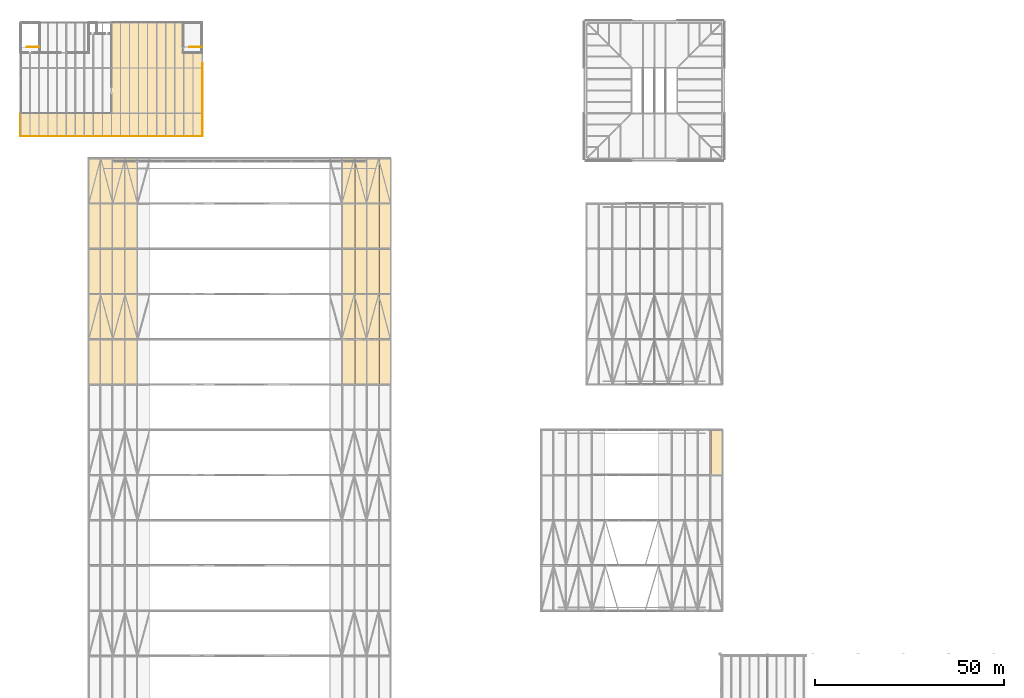
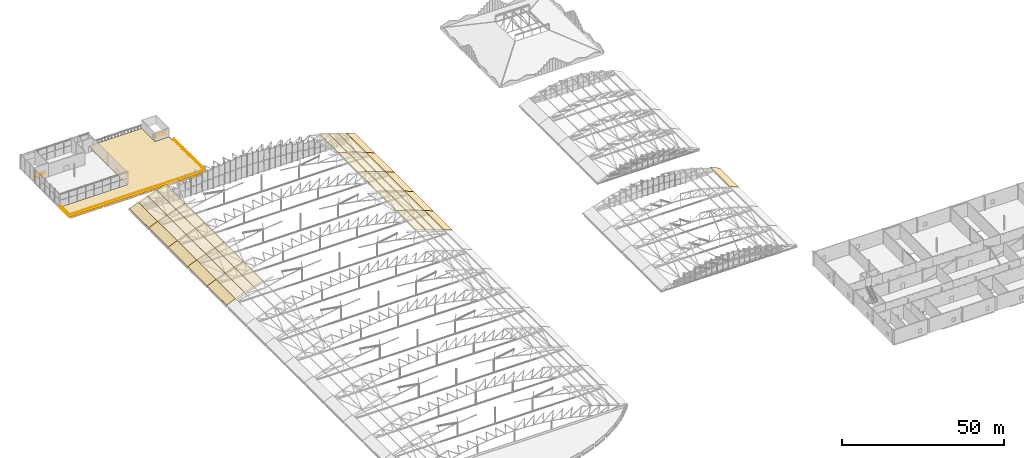
# One storey, part 318 of 321: 42 coverings, 4 railings.
"""IFC4 building model written with IfcOpenShell, lengths in metres."""

import ifcopenshell
import ifcopenshell.guid

model = None  # the IFC model being written
_history = None  # IfcOwnerHistory: only IFC2X3 demands one
_inside = {}  # id of a spatial element -> (the spatial element, [elements in it])
_under = {}  # id of a project, library or spatial element -> (it, [spatial elements below it])
_declared = {}  # id of a project -> (the project, [libraries it declares])
_typed = {}  # id of a type object -> (the type object, [elements of that type])
_made_of = {}  # id of a material, layer set ... -> (it, [elements and type objects made of it])


def new_model(schema):
    """Start an empty IFC model of exactly this schema.

    Asked for "IFC4X3", IfcOpenShell would pick the latest addendum, in which some entities
    have other attributes; the version numbers below select the first issue.
    IFC2X3 requires an IfcOwnerHistory on every rooted entity: one is made here for all.
    """
    global model, _history
    if schema == "IFC4X3":
        model = ifcopenshell.file(schema_version=(4, 3, 0, 0))
    else:
        model = ifcopenshell.file(schema=schema)
    _inside.clear()
    _under.clear()
    _declared.clear()
    _typed.clear()
    _made_of.clear()
    _history = None
    if model.schema == "IFC2X3":
        org = make("IfcOrganization", Name="unknown")
        user = make(
            "IfcPersonAndOrganization",
            ThePerson=make("IfcPerson", FamilyName="unknown"),
            TheOrganization=org,
        )
        app = make(
            "IfcApplication",
            ApplicationDeveloper=org,
            Version="unknown",
            ApplicationFullName="unknown",
            ApplicationIdentifier="unknown",
        )
        _history = make(
            "IfcOwnerHistory",
            OwningUser=user,
            OwningApplication=app,
            ChangeAction="ADDED",
            CreationDate=0,
        )
    return model


def make(cls, **values):
    """One entity of the class cls with the attributes given. An attribute that is None is left unset."""
    return model.create_entity(
        cls, **{name: value for name, value in values.items() if value is not None}
    )


def rooted(cls, **values):
    """An entity with a GlobalId (a new one), such as an element, a storey or a relation."""
    return make(cls, GlobalId=ifcopenshell.guid.new(), OwnerHistory=_history, **values)


def si_unit(unit_type, name, prefix=None):
    """IfcSIUnit, for example si_unit("LENGTHUNIT", "METRE", prefix="MILLI")."""
    return make("IfcSIUnit", UnitType=unit_type, Prefix=prefix, Name=name)


def assignment(units):
    """IfcUnitAssignment: the units of a project."""
    return None if units is None else make("IfcUnitAssignment", Units=units)


def point(xyz):
    """IfcCartesianPoint."""
    return None if xyz is None else make("IfcCartesianPoint", Coordinates=xyz)


def direction(xyz):
    """IfcDirection."""
    return None if xyz is None else make("IfcDirection", DirectionRatios=xyz)


def frame(location, z_axis=None, x_axis=None):
    """IfcAxis2Placement3D, a coordinate frame: its origin and axes. An axis left out is left unset."""
    return make(
        "IfcAxis2Placement3D",
        Location=point(location),
        Axis=direction(z_axis),
        RefDirection=direction(x_axis),
    )


def frame_2d(location, x_axis=None):
    """IfcAxis2Placement2D, a coordinate frame in the plane: its origin and x axis."""
    return make(
        "IfcAxis2Placement2D", Location=point(location), RefDirection=direction(x_axis)
    )


def origin():
    """The frame at (0, 0, 0) with its axes left unset."""
    return frame((0.0, 0.0, 0.0))


def origin_2d():
    """The frame at (0, 0) in the plane with its x axis left unset."""
    return frame_2d((0.0, 0.0))


def place(relative_to, where):
    """IfcLocalPlacement: puts the frame where relative to a parent placement (None: the world)."""
    return make(
        "IfcLocalPlacement", PlacementRelTo=relative_to, RelativePlacement=where
    )


def context(
    kind, dimensions, precision=None, world=None, true_north=None, identifier=None
):
    """IfcGeometricRepresentationContext, for example the 3D "Model" context."""
    return make(
        "IfcGeometricRepresentationContext",
        ContextIdentifier=identifier,
        ContextType=kind,
        CoordinateSpaceDimension=dimensions,
        Precision=precision,
        WorldCoordinateSystem=world,
        TrueNorth=true_north,
    )


def subcontext(parent, identifier, kind, view, scale=None):
    """IfcGeometricRepresentationSubContext, for example "Body" below "Model"."""
    return make(
        "IfcGeometricRepresentationSubContext",
        ContextIdentifier=identifier,
        ContextType=kind,
        ParentContext=parent,
        TargetScale=scale,
        TargetView=view,
    )


def project(units=None, contexts=None):
    """IfcProject with its units and contexts."""
    return rooted(
        "IfcProject",
        Name="project",
        RepresentationContexts=contexts,
        UnitsInContext=assignment(units),
    )


def spatial(cls, under=None, at=None, **own):
    """A site, building, storey or space (cls), placed at a placement, below another one or the project."""
    s = rooted(cls, ObjectPlacement=at, **own)
    if under is not None:
        _under.setdefault(under.id(), (under, []))[1].append(s)
    return s


def polyline(points):
    """IfcPolyline through the points."""
    return make("IfcPolyline", Points=[point(p) for p in points])


def profile(cls, at=None, kind="AREA", **sizes):
    """A parametric profile (cls). Its sizes go by their IFC names, for example OverallWidth=200.0."""
    return make(cls, ProfileType=kind, Position=at, **sizes)


def circle(**sizes):
    """IfcCircleProfileDef."""
    return profile("IfcCircleProfileDef", **sizes)


def outline(outer, holes=None, kind="AREA"):
    """IfcArbitraryClosedProfileDef: a profile drawn as a closed curve; with holes, ...WithVoids."""
    if holes is None:
        return make("IfcArbitraryClosedProfileDef", ProfileType=kind, OuterCurve=outer)
    return make(
        "IfcArbitraryProfileDefWithVoids",
        ProfileType=kind,
        OuterCurve=outer,
        InnerCurves=holes,
    )


def extrude(swept, where, along, depth):
    """IfcExtrudedAreaSolid: the profile swept, set in the frame where, extruded along a direction by depth."""
    return make(
        "IfcExtrudedAreaSolid",
        SweptArea=swept,
        Position=where,
        ExtrudedDirection=direction(along),
        Depth=depth,
    )


def shape(context_of_items, identifier, shape_type, items):
    """IfcShapeRepresentation: the items that make up one representation, for example the "Body"."""
    return make(
        "IfcShapeRepresentation",
        ContextOfItems=context_of_items,
        RepresentationIdentifier=identifier,
        RepresentationType=shape_type,
        Items=items,
    )


def material(Name=None, Category=None):
    """IfcMaterial."""
    return make("IfcMaterial", Name=Name, Category=Category)


def layer(
    of_material, thickness, ventilated=None, Name=None, Category=None, Priority=None
):
    """IfcMaterialLayer: one layer of a wall or slab, of a material (None: an air gap)."""
    return make(
        "IfcMaterialLayer",
        Material=of_material,
        LayerThickness=thickness,
        IsVentilated=ventilated,
        Name=Name,
        Category=Category,
        Priority=Priority,
    )


def layer_set(layers, Name=None):
    """IfcMaterialLayerSet."""
    return make("IfcMaterialLayerSet", MaterialLayers=layers, LayerSetName=Name)


def made_of(thing, what):
    """Note that an element or type object is made of a material, layer set ...; save() writes the relation."""
    if what is not None:
        _made_of.setdefault(what.id(), (what, []))[1].append(thing)
    return thing


def type_object(cls, material=None, **own):
    """A type object (cls), such as IfcWallType, which elements share."""
    return made_of(rooted(cls, **own), material)


def element(
    cls,
    number,
    at=None,
    inside=None,
    cuts=None,
    type_object=None,
    material=None,
    context=None,
    identifier="Body",
    shape_type=None,
    held_by="IfcProductDefinitionShape",
    body=None,
    shapes=None,
    **own,
):
    """One element of the class cls, such as IfcWall. Its Tag is "e" and its number.

    at: its placement. inside: the storey or other place that contains it. cuts: it is an
    opening in that element (IfcRelVoidsElement). A single representation is given by context,
    identifier, shape_type and body (its items); several are given by shapes. held_by: the class
    of the entity that holds the representations. save() writes the other relations.
    """
    e = rooted(cls, Tag="e%d" % number, ObjectPlacement=at, **own)
    if body is not None:
        shapes = [shape(context, identifier, shape_type, body)]
    if shapes is not None:
        e.Representation = make(held_by, Representations=shapes)
    if inside is not None:
        _inside.setdefault(inside.id(), (inside, []))[1].append(e)
    if cuts is not None:
        rooted(
            "IfcRelVoidsElement", RelatingBuildingElement=cuts, RelatedOpeningElement=e
        )
    if type_object is not None:
        _typed.setdefault(type_object.id(), (type_object, []))[1].append(e)
    return made_of(e, material)


def aggregate(whole, parts):
    """IfcRelAggregates: a whole, such as a stair, and the parts it consists of."""
    return rooted("IfcRelAggregates", RelatingObject=whole, RelatedObjects=parts)


def save(model, path):
    """Write the relations noted so far, then the file.

    IfcRelAggregates (storeys below a building ...), IfcRelContainedInSpatialStructure (elements
    in a storey), IfcRelDefinesByType, IfcRelAssociatesMaterial and IfcRelDeclares: one each for
    every whole, place, type object, material and project.
    """
    for whole, parts in _under.values():
        aggregate(whole, parts)
    for where, things in _inside.values():
        rooted(
            "IfcRelContainedInSpatialStructure",
            RelatedElements=things,
            RelatingStructure=where,
        )
    for kind, things in _typed.values():
        rooted("IfcRelDefinesByType", RelatedObjects=things, RelatingType=kind)
    for what, things in _made_of.values():
        rooted("IfcRelAssociatesMaterial", RelatedObjects=things, RelatingMaterial=what)
    for by, libraries in _declared.values():
        rooted("IfcRelDeclares", RelatingContext=by, RelatedDefinitions=libraries)
    model.write(path)


model = new_model("IFC4")

# Units and contexts
model_context = context("Model", 3, precision=1e-05, world=origin(), true_north=direction((0.0, 1.0)))
body_context = subcontext(model_context, "Body", "Model", "MODEL_VIEW")
ifc_project = project(units=[si_unit("LENGTHUNIT", "METRE"), si_unit("AREAUNIT", "SQUARE_METRE"), si_unit("VOLUMEUNIT", "CUBIC_METRE"), si_unit("PLANEANGLEUNIT", "RADIAN"), si_unit("MASSUNIT", "GRAM", prefix="KILO")], contexts=[model_context])

# Site, building, storey
site_placement = place(None, origin())
site = spatial("IfcSite", under=ifc_project, at=site_placement, CompositionType="ELEMENT")
building_placement = place(site_placement, origin())
building = spatial("IfcBuilding", under=site, at=building_placement, Name="Ravi Spectrum Wholesale Market", CompositionType="ELEMENT")
storey_placement = place(building_placement, frame((0.0, 0.0, 10.800048828125)))
storey = spatial("IfcBuildingStorey", under=building, at=storey_placement, Name="L02", CompositionType="ELEMENT", Elevation=10.800048828125)

# Covering
ifc_material_1 = material(Name="Stone paving", Category="masonry")
ifc_layer_1 = layer(ifc_material_1, 0.06005859375)
ifc_layer_set_1 = layer_set([ifc_layer_1], Name="Stone paving")
covering_type_1 = type_object("IfcCoveringType", Name="Deck paving 60", PredefinedType="FLOORING", material=ifc_layer_set_1)
covering_1_placement = place(storey_placement, origin())
element("IfcCovering", 1, at=covering_1_placement, inside=storey, type_object=covering_type_1, Name="Deck paving", PredefinedType="FLOORING", context=body_context, shape_type="SweptSolid", body=[
    extrude(outline(polyline([(12.0, 204.0), (60.0, 204.0), (60.0, 225.875), (54.875, 225.875), (54.875, 234.0), (36.0, 234.0), (36.0, 210.0), (12.0, 210.0), (12.0, 204.0)])), origin(), (0.0, 0.0, 1.0), 0.06005859375),
])

# Railings
ifc_material_2 = material(Name="Steel S355", Category="steel")
railing_type = type_object("IfcRailingType", Name="Guard 1100", PredefinedType="GUARDRAIL", material=ifc_material_2)
railing_1_placement = place(storey_placement, frame((11.85009765625, 209.89990234375, 0.0)))
element("IfcRailing", 2, at=railing_1_placement, inside=storey, type_object=railing_type, Name="OF-RL-L02-001", PredefinedType="GUARDRAIL", context=body_context, shape_type="SweptSolid", body=[
    extrude(circle(Radius=0.02392578125, at=origin_2d()), frame((0.0, 0.0, 1.076171875), z_axis=(0.0, -1.0, 0.0), x_axis=(1.0, 0.0, 0.0)), (0.0, 0.0, 1.0), 6.0498046875),
    extrude(circle(Radius=0.02392578125, at=origin_2d()), frame((0.0, -6.0498046875, 1.076171875), z_axis=(1.0, 0.0, 0.0), x_axis=(0.0, 1.0, 0.0)), (0.0, 0.0, 1.0), 48.2998046875),
    extrude(circle(Radius=0.02099609375, at=origin_2d()), origin(), (0.0, 0.0, 1.0), 1.052001953125),
    extrude(circle(Radius=0.02099609375, at=origin_2d()), frame((0.0, -1.00830078125, 0.0)), (0.0, 0.0, 1.0), 1.052001953125),
    extrude(circle(Radius=0.02099609375, at=origin_2d()), frame((0.0, -2.0166015625, 0.0)), (0.0, 0.0, 1.0), 1.052001953125),
    extrude(circle(Radius=0.02099609375, at=origin_2d()), frame((0.0, -3.02490234375, 0.0)), (0.0, 0.0, 1.0), 1.052001953125),
    extrude(circle(Radius=0.02099609375, at=origin_2d()), frame((0.0, -4.033203125, 0.0)), (0.0, 0.0, 1.0), 1.052001953125),
    extrude(circle(Radius=0.02099609375, at=origin_2d()), frame((0.0, -5.04150390625, 0.0)), (0.0, 0.0, 1.0), 1.052001953125),
    extrude(circle(Radius=0.02099609375, at=origin_2d()), frame((0.0, -6.0498046875, 0.0)), (0.0, 0.0, 1.0), 1.052001953125),
    extrude(circle(Radius=0.02099609375, at=origin_2d()), frame((1.177978515625, -6.0498046875, 0.0)), (0.0, 0.0, 1.0), 1.052001953125),
    extrude(circle(Radius=0.02099609375, at=origin_2d()), frame((2.356201171875, -6.0498046875, 0.0)), (0.0, 0.0, 1.0), 1.052001953125),
    extrude(circle(Radius=0.02099609375, at=origin_2d()), frame((3.5341796875, -6.0498046875, 0.0)), (0.0, 0.0, 1.0), 1.052001953125),
    extrude(circle(Radius=0.02099609375, at=origin_2d()), frame((4.712158203125, -6.0498046875, 0.0)), (0.0, 0.0, 1.0), 1.052001953125),
    extrude(circle(Radius=0.02099609375, at=origin_2d()), frame((5.89013671875, -6.0498046875, 0.0)), (0.0, 0.0, 1.0), 1.052001953125),
    extrude(circle(Radius=0.02099609375, at=origin_2d()), frame((7.068359375, -6.0498046875, 0.0)), (0.0, 0.0, 1.0), 1.052001953125),
    extrude(circle(Radius=0.02099609375, at=origin_2d()), frame((8.246337890625, -6.0498046875, 0.0)), (0.0, 0.0, 1.0), 1.052001953125),
    extrude(circle(Radius=0.02099609375, at=origin_2d()), frame((9.42431640625, -6.0498046875, 0.0)), (0.0, 0.0, 1.0), 1.052001953125),
    extrude(circle(Radius=0.02099609375, at=origin_2d()), frame((10.602294921875, -6.0498046875, 0.0)), (0.0, 0.0, 1.0), 1.052001953125),
    extrude(circle(Radius=0.02099609375, at=origin_2d()), frame((11.780517578125, -6.0498046875, 0.0)), (0.0, 0.0, 1.0), 1.052001953125),
    extrude(circle(Radius=0.02099609375, at=origin_2d()), frame((12.95849609375, -6.0498046875, 0.0)), (0.0, 0.0, 1.0), 1.052001953125),
    extrude(circle(Radius=0.02099609375, at=origin_2d()), frame((14.136474609375, -6.0498046875, 0.0)), (0.0, 0.0, 1.0), 1.052001953125),
    extrude(circle(Radius=0.02099609375, at=origin_2d()), frame((15.314453125, -6.0498046875, 0.0)), (0.0, 0.0, 1.0), 1.052001953125),
    extrude(circle(Radius=0.02099609375, at=origin_2d()), frame((16.49267578125, -6.0498046875, 0.0)), (0.0, 0.0, 1.0), 1.052001953125),
    extrude(circle(Radius=0.02099609375, at=origin_2d()), frame((17.670654296875, -6.0498046875, 0.0)), (0.0, 0.0, 1.0), 1.052001953125),
    extrude(circle(Radius=0.02099609375, at=origin_2d()), frame((18.8486328125, -6.0498046875, 0.0)), (0.0, 0.0, 1.0), 1.052001953125),
    extrude(circle(Radius=0.02099609375, at=origin_2d()), frame((20.02685546875, -6.0498046875, 0.0)), (0.0, 0.0, 1.0), 1.052001953125),
    extrude(circle(Radius=0.02099609375, at=origin_2d()), frame((21.204833984375, -6.0498046875, 0.0)), (0.0, 0.0, 1.0), 1.052001953125),
    extrude(circle(Radius=0.02099609375, at=origin_2d()), frame((22.3828125, -6.0498046875, 0.0)), (0.0, 0.0, 1.0), 1.052001953125),
    extrude(circle(Radius=0.02099609375, at=origin_2d()), frame((23.560791015625, -6.0498046875, 0.0)), (0.0, 0.0, 1.0), 1.052001953125),
    extrude(circle(Radius=0.02099609375, at=origin_2d()), frame((24.739013671875, -6.0498046875, 0.0)), (0.0, 0.0, 1.0), 1.052001953125),
    extrude(circle(Radius=0.02099609375, at=origin_2d()), frame((25.9169921875, -6.0498046875, 0.0)), (0.0, 0.0, 1.0), 1.052001953125),
    extrude(circle(Radius=0.02099609375, at=origin_2d()), frame((27.094970703125, -6.0498046875, 0.0)), (0.0, 0.0, 1.0), 1.052001953125),
    extrude(circle(Radius=0.02099609375, at=origin_2d()), frame((28.27294921875, -6.0498046875, 0.0)), (0.0, 0.0, 1.0), 1.052001953125),
    extrude(circle(Radius=0.02099609375, at=origin_2d()), frame((29.451171875, -6.0498046875, 0.0)), (0.0, 0.0, 1.0), 1.052001953125),
    extrude(circle(Radius=0.02099609375, at=origin_2d()), frame((30.629150390625, -6.0498046875, 0.0)), (0.0, 0.0, 1.0), 1.052001953125),
    extrude(circle(Radius=0.02099609375, at=origin_2d()), frame((31.80712890625, -6.0498046875, 0.0)), (0.0, 0.0, 1.0), 1.052001953125),
    extrude(circle(Radius=0.02099609375, at=origin_2d()), frame((32.9853515625, -6.0498046875, 0.0)), (0.0, 0.0, 1.0), 1.052001953125),
    extrude(circle(Radius=0.02099609375, at=origin_2d()), frame((34.163330078125, -6.0498046875, 0.0)), (0.0, 0.0, 1.0), 1.052001953125),
    extrude(circle(Radius=0.02099609375, at=origin_2d()), frame((35.34130859375, -6.0498046875, 0.0)), (0.0, 0.0, 1.0), 1.052001953125),
    extrude(circle(Radius=0.02099609375, at=origin_2d()), frame((36.519287109375, -6.0498046875, 0.0)), (0.0, 0.0, 1.0), 1.052001953125),
    extrude(circle(Radius=0.02099609375, at=origin_2d()), frame((37.697509765625, -6.0498046875, 0.0)), (0.0, 0.0, 1.0), 1.052001953125),
    extrude(circle(Radius=0.02099609375, at=origin_2d()), frame((38.87548828125, -6.0498046875, 0.0)), (0.0, 0.0, 1.0), 1.052001953125),
    extrude(circle(Radius=0.02099609375, at=origin_2d()), frame((40.053466796875, -6.0498046875, 0.0)), (0.0, 0.0, 1.0), 1.052001953125),
    extrude(circle(Radius=0.02099609375, at=origin_2d()), frame((41.2314453125, -6.0498046875, 0.0)), (0.0, 0.0, 1.0), 1.052001953125),
    extrude(circle(Radius=0.02099609375, at=origin_2d()), frame((42.40966796875, -6.0498046875, 0.0)), (0.0, 0.0, 1.0), 1.052001953125),
    extrude(circle(Radius=0.02099609375, at=origin_2d()), frame((43.587646484375, -6.0498046875, 0.0)), (0.0, 0.0, 1.0), 1.052001953125),
    extrude(circle(Radius=0.02099609375, at=origin_2d()), frame((44.765625, -6.0498046875, 0.0)), (0.0, 0.0, 1.0), 1.052001953125),
    extrude(circle(Radius=0.02099609375, at=origin_2d()), frame((45.943603515625, -6.0498046875, 0.0)), (0.0, 0.0, 1.0), 1.052001953125),
    extrude(circle(Radius=0.02099609375, at=origin_2d()), frame((47.121826171875, -6.0498046875, 0.0)), (0.0, 0.0, 1.0), 1.052001953125),
    extrude(circle(Radius=0.02099609375, at=origin_2d()), frame((48.2998046875, -6.0498046875, 0.0)), (0.0, 0.0, 1.0), 1.052001953125),
])
railing_2_placement = place(storey_placement, frame((60.14990234375, 203.85009765625, 0.0)))
element("IfcRailing", 3, at=railing_2_placement, inside=storey, type_object=railing_type, Name="OF-RL-L02-002", PredefinedType="GUARDRAIL", context=body_context, shape_type="SweptSolid", body=[
    extrude(circle(Radius=0.02392578125, at=origin_2d()), frame((0.0, 0.0, 1.076171875), z_axis=(0.0, 1.0, 0.0), x_axis=(-1.0, 0.0, 0.0)), (0.0, 0.0, 1.0), 19.349853515625),
    extrude(circle(Radius=0.02099609375, at=origin_2d()), origin(), (0.0, 0.0, 1.0), 1.052001953125),
    extrude(circle(Radius=0.02099609375, at=origin_2d()), frame((0.0, 1.13818359375, 0.0)), (0.0, 0.0, 1.0), 1.052001953125),
    extrude(circle(Radius=0.02099609375, at=origin_2d()), frame((0.0, 2.2763671875, 0.0)), (0.0, 0.0, 1.0), 1.052001953125),
    extrude(circle(Radius=0.02099609375, at=origin_2d()), frame((0.0, 3.414794921875, 0.0)), (0.0, 0.0, 1.0), 1.052001953125),
    extrude(circle(Radius=0.02099609375, at=origin_2d()), frame((0.0, 4.552978515625, 0.0)), (0.0, 0.0, 1.0), 1.052001953125),
    extrude(circle(Radius=0.02099609375, at=origin_2d()), frame((0.0, 5.691162109375, 0.0)), (0.0, 0.0, 1.0), 1.052001953125),
    extrude(circle(Radius=0.02099609375, at=origin_2d()), frame((0.0, 6.829345703125, 0.0)), (0.0, 0.0, 1.0), 1.052001953125),
    extrude(circle(Radius=0.02099609375, at=origin_2d()), frame((0.0, 7.967529296875, 0.0)), (0.0, 0.0, 1.0), 1.052001953125),
    extrude(circle(Radius=0.02099609375, at=origin_2d()), frame((0.0, 9.105712890625, 0.0)), (0.0, 0.0, 1.0), 1.052001953125),
    extrude(circle(Radius=0.02099609375, at=origin_2d()), frame((0.0, 10.244140625, 0.0)), (0.0, 0.0, 1.0), 1.052001953125),
    extrude(circle(Radius=0.02099609375, at=origin_2d()), frame((0.0, 11.38232421875, 0.0)), (0.0, 0.0, 1.0), 1.052001953125),
    extrude(circle(Radius=0.02099609375, at=origin_2d()), frame((0.0, 12.5205078125, 0.0)), (0.0, 0.0, 1.0), 1.052001953125),
    extrude(circle(Radius=0.02099609375, at=origin_2d()), frame((0.0, 13.65869140625, 0.0)), (0.0, 0.0, 1.0), 1.052001953125),
    extrude(circle(Radius=0.02099609375, at=origin_2d()), frame((0.0, 14.796875, 0.0)), (0.0, 0.0, 1.0), 1.052001953125),
    extrude(circle(Radius=0.02099609375, at=origin_2d()), frame((0.0, 15.93505859375, 0.0)), (0.0, 0.0, 1.0), 1.052001953125),
    extrude(circle(Radius=0.02099609375, at=origin_2d()), frame((0.0, 17.073486328125, 0.0)), (0.0, 0.0, 1.0), 1.052001953125),
    extrude(circle(Radius=0.02099609375, at=origin_2d()), frame((0.0, 18.211669921875, 0.0)), (0.0, 0.0, 1.0), 1.052001953125),
    extrude(circle(Radius=0.02099609375, at=origin_2d()), frame((0.0, 19.349853515625, 0.0)), (0.0, 0.0, 1.0), 1.052001953125),
])
for number, where, name in (
    (4, (16.89990234375, 227.550048828125, 0.0), "L02 S-OF-1 top well guard 1"),
    (5, (59.89990234375, 227.550048828125, 0.0), "L02 S-OF-2 top well guard 1"),
):
    element("IfcRailing", number, at=place(storey_placement, frame(where)), inside=storey, type_object=railing_type, Name=name, PredefinedType="GUARDRAIL", context=body_context, shape_type="SweptSolid", body=[
        extrude(circle(Radius=0.02392578125, at=origin_2d()), frame((0.0, 0.0, 1.076171875), z_axis=(-1.0, 0.0, 0.0), x_axis=(0.0, -1.0, 0.0)), (0.0, 0.0, 1.0), 3.2998046875),
        extrude(circle(Radius=0.02099609375, at=origin_2d()), origin(), (0.0, 0.0, 1.0), 1.052001953125),
        extrude(circle(Radius=0.02099609375, at=origin_2d()), frame((-1.099853515625, 0.0, 0.0)), (0.0, 0.0, 1.0), 1.052001953125),
        extrude(circle(Radius=0.02099609375, at=origin_2d()), frame((-2.199951171875, 0.0, 0.0)), (0.0, 0.0, 1.0), 1.052001953125),
        extrude(circle(Radius=0.02099609375, at=origin_2d()), frame((-3.2998046875, 0.0, 0.0)), (0.0, 0.0, 1.0), 1.052001953125),
    ])

# Coverings
ifc_material_3 = material(Name="Roofing membrane")
ifc_layer_2 = layer(ifc_material_3, 0.008056640625)
ifc_layer_set_2 = layer_set([ifc_layer_2], Name="Roofing membrane")
covering_type_2 = type_object("IfcCoveringType", Name="Roofing membrane 8", PredefinedType="ROOFING", material=ifc_layer_set_2)
covering_2_placement = place(storey_placement, frame((29.76025390625, 138.0, 0.55126953125), z_axis=(-0.386400188162, 0.0, 0.922331228241), x_axis=(0.922331228241, 0.0, 0.386400188162)))
element("IfcCovering", 6, at=covering_2_placement, inside=storey, type_object=covering_type_2, Name="H1-CV-L02-073", PredefinedType="ROOFING", context=body_context, shape_type="SweptSolid", body=[
    extrude(outline(polyline([(0.0, 0.0), (3.44665233138391, 0.0), (3.44665233138391, 12.0), (0.0, 12.0), (0.0, 0.0)])), origin(), (0.0, 0.0, -1.0), 0.008056640625),
])
covering_3_placement = place(storey_placement, frame((32.943115234375, 138.0, 1.884765625), z_axis=(-0.354304022931, 0.0, 0.935130290032), x_axis=(0.935130290032, 0.0, 0.354304022931)))
element("IfcCovering", 7, at=covering_3_placement, inside=storey, type_object=covering_type_2, Name="H1-CV-L02-074", PredefinedType="ROOFING", context=body_context, shape_type="SweptSolid", body=[
    extrude(outline(polyline([(0.0, 0.0), (3.446733108325278, 0.0), (3.446733108325278, 12.0), (0.0, 12.0), (0.0, 0.0)])), origin(), (0.0, 0.0, -1.0), 0.008056640625),
])
covering_4_placement = place(storey_placement, frame((36.17041015625, 138.0, 3.107666015625), z_axis=(-0.321874795259, 0.0, 0.946782243273), x_axis=(0.946782243273, 0.0, 0.321874795259)))
element("IfcCovering", 8, at=covering_4_placement, inside=storey, type_object=covering_type_2, Name="H1-CV-L02-075", PredefinedType="ROOFING", context=body_context, shape_type="SweptSolid", body=[
    extrude(outline(polyline([(0.0, 0.0), (3.4466041340925955, 0.0), (3.4466041340925955, 12.000000000000004), (0.0, 12.000000000000004), (0.0, 0.0)])), origin(), (0.0, 0.0, -1.0), 0.008056640625),
])
for number, where, z_axis, x_axis, name in (
    (9, (39.437744140625, 138.0, 4.21826171875), (-0.289069508048, 0.0, 0.957308111068), (0.957308111068, 0.0, 0.289069508048), "H1-CV-L02-076"),
    (10, (97.2626953125, 138.0, 5.214599609375), (0.289069508048, 0.0, 0.957308111068), (0.957308111068, 0.0, -0.289069508048), "H1-CV-L02-077"),
):
    element("IfcCovering", number, at=place(storey_placement, frame(where, z_axis=z_axis, x_axis=x_axis)), inside=storey, type_object=covering_type_2, Name=name, PredefinedType="ROOFING", context=body_context, shape_type="SweptSolid", body=[
        extrude(outline(polyline([(0.0, 0.0), (3.4467069783764797, 0.0), (3.4467069783764797, 12.0), (0.0, 12.0), (0.0, 0.0)])), origin(), (0.0, 0.0, -1.0), 0.008056640625),
    ])
covering_5_placement = place(storey_placement, frame((100.56640625, 138.0, 4.217041015625), z_axis=(0.321874795259, 0.0, 0.946782243273), x_axis=(0.946782243273, 0.0, -0.321874795259)))
element("IfcCovering", 11, at=covering_5_placement, inside=storey, type_object=covering_type_2, Name="H1-CV-L02-078", PredefinedType="ROOFING", context=body_context, shape_type="SweptSolid", body=[
    extrude(outline(polyline([(0.0, 0.0), (3.4466041340925955, 0.0), (3.4466041340925955, 12.000000000000004), (0.0, 12.000000000000004), (0.0, 0.0)])), origin(), (0.0, 0.0, -1.0), 0.008056640625),
])
covering_6_placement = place(storey_placement, frame((103.833740234375, 138.0, 3.10595703125), z_axis=(0.354304022931, 0.0, 0.935130290032), x_axis=(0.935130290032, 0.0, -0.354304022931)))
element("IfcCovering", 12, at=covering_6_placement, inside=storey, type_object=covering_type_2, Name="H1-CV-L02-079", PredefinedType="ROOFING", context=body_context, shape_type="SweptSolid", body=[
    extrude(outline(polyline([(0.0, 0.0), (3.446733108325278, 0.0), (3.446733108325278, 12.0), (0.0, 12.0), (0.0, 0.0)])), origin(), (0.0, 0.0, -1.0), 0.008056640625),
])
for number, where, z_axis, x_axis, name in (
    (13, (107.060791015625, 138.0, 1.883056640625), (0.386400188162, 0.0, 0.922331228241), (0.922331228241, 0.0, -0.386400188162), "H1-CV-L02-080"),
    (14, (29.76025390625, 150.0, 0.55126953125), (-0.386400188162, 0.0, 0.922331228241), (0.922331228241, 0.0, 0.386400188162), "H1-CV-L02-081"),
):
    element("IfcCovering", number, at=place(storey_placement, frame(where, z_axis=z_axis, x_axis=x_axis)), inside=storey, type_object=covering_type_2, Name=name, PredefinedType="ROOFING", context=body_context, shape_type="SweptSolid", body=[
        extrude(outline(polyline([(0.0, 0.0), (3.44665233138391, 0.0), (3.44665233138391, 12.0), (0.0, 12.0), (0.0, 0.0)])), origin(), (0.0, 0.0, -1.0), 0.008056640625),
    ])
covering_7_placement = place(storey_placement, frame((32.943115234375, 150.0, 1.884765625), z_axis=(-0.354304022931, 0.0, 0.935130290032), x_axis=(0.935130290032, 0.0, 0.354304022931)))
element("IfcCovering", 15, at=covering_7_placement, inside=storey, type_object=covering_type_2, Name="H1-CV-L02-082", PredefinedType="ROOFING", context=body_context, shape_type="SweptSolid", body=[
    extrude(outline(polyline([(0.0, 0.0), (3.446733108325278, 0.0), (3.446733108325278, 12.0), (0.0, 12.0), (0.0, 0.0)])), origin(), (0.0, 0.0, -1.0), 0.008056640625),
])
covering_8_placement = place(storey_placement, frame((36.17041015625, 150.0, 3.107666015625), z_axis=(-0.321874795259, 0.0, 0.946782243273), x_axis=(0.946782243273, 0.0, 0.321874795259)))
element("IfcCovering", 16, at=covering_8_placement, inside=storey, type_object=covering_type_2, Name="H1-CV-L02-083", PredefinedType="ROOFING", context=body_context, shape_type="SweptSolid", body=[
    extrude(outline(polyline([(0.0, 0.0), (3.4466041340925955, 0.0), (3.4466041340925955, 12.000000000000004), (0.0, 12.000000000000004), (0.0, 0.0)])), origin(), (0.0, 0.0, -1.0), 0.008056640625),
])
for number, where, z_axis, x_axis, name in (
    (17, (39.437744140625, 150.0, 4.21826171875), (-0.289069508048, 0.0, 0.957308111068), (0.957308111068, 0.0, 0.289069508048), "H1-CV-L02-084"),
    (18, (97.2626953125, 150.0, 5.214599609375), (0.289069508048, 0.0, 0.957308111068), (0.957308111068, 0.0, -0.289069508048), "H1-CV-L02-085"),
):
    element("IfcCovering", number, at=place(storey_placement, frame(where, z_axis=z_axis, x_axis=x_axis)), inside=storey, type_object=covering_type_2, Name=name, PredefinedType="ROOFING", context=body_context, shape_type="SweptSolid", body=[
        extrude(outline(polyline([(0.0, 0.0), (3.4467069783764797, 0.0), (3.4467069783764797, 12.0), (0.0, 12.0), (0.0, 0.0)])), origin(), (0.0, 0.0, -1.0), 0.008056640625),
    ])
covering_9_placement = place(storey_placement, frame((100.56640625, 150.0, 4.217041015625), z_axis=(0.321874795259, 0.0, 0.946782243273), x_axis=(0.946782243273, 0.0, -0.321874795259)))
element("IfcCovering", 19, at=covering_9_placement, inside=storey, type_object=covering_type_2, Name="H1-CV-L02-086", PredefinedType="ROOFING", context=body_context, shape_type="SweptSolid", body=[
    extrude(outline(polyline([(0.0, 0.0), (3.4466041340925955, 0.0), (3.4466041340925955, 12.000000000000004), (0.0, 12.000000000000004), (0.0, 0.0)])), origin(), (0.0, 0.0, -1.0), 0.008056640625),
])
covering_10_placement = place(storey_placement, frame((103.833740234375, 150.0, 3.10595703125), z_axis=(0.354304022931, 0.0, 0.935130290032), x_axis=(0.935130290032, 0.0, -0.354304022931)))
element("IfcCovering", 20, at=covering_10_placement, inside=storey, type_object=covering_type_2, Name="H1-CV-L02-087", PredefinedType="ROOFING", context=body_context, shape_type="SweptSolid", body=[
    extrude(outline(polyline([(0.0, 0.0), (3.446733108325278, 0.0), (3.446733108325278, 12.0), (0.0, 12.0), (0.0, 0.0)])), origin(), (0.0, 0.0, -1.0), 0.008056640625),
])
for number, where, z_axis, x_axis, name in (
    (21, (107.060791015625, 150.0, 1.883056640625), (0.386400188162, 0.0, 0.922331228241), (0.922331228241, 0.0, -0.386400188162), "H1-CV-L02-088"),
    (22, (29.76025390625, 162.0, 0.55126953125), (-0.386400188162, 0.0, 0.922331228241), (0.922331228241, 0.0, 0.386400188162), "H1-CV-L02-089"),
):
    element("IfcCovering", number, at=place(storey_placement, frame(where, z_axis=z_axis, x_axis=x_axis)), inside=storey, type_object=covering_type_2, Name=name, PredefinedType="ROOFING", context=body_context, shape_type="SweptSolid", body=[
        extrude(outline(polyline([(0.0, 0.0), (3.44665233138391, 0.0), (3.44665233138391, 12.0), (0.0, 12.0), (0.0, 0.0)])), origin(), (0.0, 0.0, -1.0), 0.008056640625),
    ])
covering_11_placement = place(storey_placement, frame((32.943115234375, 162.0, 1.884765625), z_axis=(-0.354304022931, 0.0, 0.935130290032), x_axis=(0.935130290032, 0.0, 0.354304022931)))
element("IfcCovering", 23, at=covering_11_placement, inside=storey, type_object=covering_type_2, Name="H1-CV-L02-090", PredefinedType="ROOFING", context=body_context, shape_type="SweptSolid", body=[
    extrude(outline(polyline([(0.0, 0.0), (3.446733108325278, 0.0), (3.446733108325278, 12.0), (0.0, 12.0), (0.0, 0.0)])), origin(), (0.0, 0.0, -1.0), 0.008056640625),
])
covering_12_placement = place(storey_placement, frame((36.17041015625, 162.0, 3.107666015625), z_axis=(-0.321874795259, 0.0, 0.946782243273), x_axis=(0.946782243273, 0.0, 0.321874795259)))
element("IfcCovering", 24, at=covering_12_placement, inside=storey, type_object=covering_type_2, Name="H1-CV-L02-091", PredefinedType="ROOFING", context=body_context, shape_type="SweptSolid", body=[
    extrude(outline(polyline([(0.0, 0.0), (3.4466041340925955, 0.0), (3.4466041340925955, 12.000000000000004), (0.0, 12.000000000000004), (0.0, 0.0)])), origin(), (0.0, 0.0, -1.0), 0.008056640625),
])
for number, where, z_axis, x_axis, name in (
    (25, (39.437744140625, 162.0, 4.21826171875), (-0.289069508048, 0.0, 0.957308111068), (0.957308111068, 0.0, 0.289069508048), "H1-CV-L02-092"),
    (26, (97.2626953125, 162.0, 5.214599609375), (0.289069508048, 0.0, 0.957308111068), (0.957308111068, 0.0, -0.289069508048), "H1-CV-L02-093"),
):
    element("IfcCovering", number, at=place(storey_placement, frame(where, z_axis=z_axis, x_axis=x_axis)), inside=storey, type_object=covering_type_2, Name=name, PredefinedType="ROOFING", context=body_context, shape_type="SweptSolid", body=[
        extrude(outline(polyline([(0.0, 0.0), (3.4467069783764797, 0.0), (3.4467069783764797, 12.0), (0.0, 12.0), (0.0, 0.0)])), origin(), (0.0, 0.0, -1.0), 0.008056640625),
    ])
covering_13_placement = place(storey_placement, frame((100.56640625, 162.0, 4.217041015625), z_axis=(0.321874795259, 0.0, 0.946782243273), x_axis=(0.946782243273, 0.0, -0.321874795259)))
element("IfcCovering", 27, at=covering_13_placement, inside=storey, type_object=covering_type_2, Name="H1-CV-L02-094", PredefinedType="ROOFING", context=body_context, shape_type="SweptSolid", body=[
    extrude(outline(polyline([(0.0, 0.0), (3.4466041340925955, 0.0), (3.4466041340925955, 12.000000000000004), (0.0, 12.000000000000004), (0.0, 0.0)])), origin(), (0.0, 0.0, -1.0), 0.008056640625),
])
covering_14_placement = place(storey_placement, frame((103.833740234375, 162.0, 3.10595703125), z_axis=(0.354304022931, 0.0, 0.935130290032), x_axis=(0.935130290032, 0.0, -0.354304022931)))
element("IfcCovering", 28, at=covering_14_placement, inside=storey, type_object=covering_type_2, Name="H1-CV-L02-095", PredefinedType="ROOFING", context=body_context, shape_type="SweptSolid", body=[
    extrude(outline(polyline([(0.0, 0.0), (3.446733108325278, 0.0), (3.446733108325278, 12.0), (0.0, 12.0), (0.0, 0.0)])), origin(), (0.0, 0.0, -1.0), 0.008056640625),
])
for number, where, z_axis, x_axis, name in (
    (29, (107.060791015625, 162.0, 1.883056640625), (0.386400188162, 0.0, 0.922331228241), (0.922331228241, 0.0, -0.386400188162), "H1-CV-L02-096"),
    (30, (29.76025390625, 174.0, 0.55126953125), (-0.386400188162, 0.0, 0.922331228241), (0.922331228241, 0.0, 0.386400188162), "H1-CV-L02-097"),
):
    element("IfcCovering", number, at=place(storey_placement, frame(where, z_axis=z_axis, x_axis=x_axis)), inside=storey, type_object=covering_type_2, Name=name, PredefinedType="ROOFING", context=body_context, shape_type="SweptSolid", body=[
        extrude(outline(polyline([(0.0, 0.0), (3.44665233138391, 0.0), (3.44665233138391, 12.0), (0.0, 12.0), (0.0, 0.0)])), origin(), (0.0, 0.0, -1.0), 0.008056640625),
    ])
covering_15_placement = place(storey_placement, frame((32.943115234375, 174.0, 1.884765625), z_axis=(-0.354304022931, 0.0, 0.935130290032), x_axis=(0.935130290032, 0.0, 0.354304022931)))
element("IfcCovering", 31, at=covering_15_placement, inside=storey, type_object=covering_type_2, Name="H1-CV-L02-098", PredefinedType="ROOFING", context=body_context, shape_type="SweptSolid", body=[
    extrude(outline(polyline([(0.0, 0.0), (3.446733108325278, 0.0), (3.446733108325278, 12.0), (0.0, 12.0), (0.0, 0.0)])), origin(), (0.0, 0.0, -1.0), 0.008056640625),
])
covering_16_placement = place(storey_placement, frame((36.17041015625, 174.0, 3.107666015625), z_axis=(-0.321874795259, 0.0, 0.946782243273), x_axis=(0.946782243273, 0.0, 0.321874795259)))
element("IfcCovering", 32, at=covering_16_placement, inside=storey, type_object=covering_type_2, Name="H1-CV-L02-099", PredefinedType="ROOFING", context=body_context, shape_type="SweptSolid", body=[
    extrude(outline(polyline([(0.0, 0.0), (3.4466041340925955, 0.0), (3.4466041340925955, 12.000000000000004), (0.0, 12.000000000000004), (0.0, 0.0)])), origin(), (0.0, 0.0, -1.0), 0.008056640625),
])
for number, where, z_axis, x_axis, name in (
    (33, (39.437744140625, 174.0, 4.21826171875), (-0.289069508048, 0.0, 0.957308111068), (0.957308111068, 0.0, 0.289069508048), "H1-CV-L02-100"),
    (34, (97.2626953125, 174.0, 5.214599609375), (0.289069508048, 0.0, 0.957308111068), (0.957308111068, 0.0, -0.289069508048), "H1-CV-L02-101"),
):
    element("IfcCovering", number, at=place(storey_placement, frame(where, z_axis=z_axis, x_axis=x_axis)), inside=storey, type_object=covering_type_2, Name=name, PredefinedType="ROOFING", context=body_context, shape_type="SweptSolid", body=[
        extrude(outline(polyline([(0.0, 0.0), (3.4467069783764797, 0.0), (3.4467069783764797, 12.0), (0.0, 12.0), (0.0, 0.0)])), origin(), (0.0, 0.0, -1.0), 0.008056640625),
    ])
covering_17_placement = place(storey_placement, frame((100.56640625, 174.0, 4.217041015625), z_axis=(0.321874795259, 0.0, 0.946782243273), x_axis=(0.946782243273, 0.0, -0.321874795259)))
element("IfcCovering", 35, at=covering_17_placement, inside=storey, type_object=covering_type_2, Name="H1-CV-L02-102", PredefinedType="ROOFING", context=body_context, shape_type="SweptSolid", body=[
    extrude(outline(polyline([(0.0, 0.0), (3.4466041340925955, 0.0), (3.4466041340925955, 12.000000000000004), (0.0, 12.000000000000004), (0.0, 0.0)])), origin(), (0.0, 0.0, -1.0), 0.008056640625),
])
covering_18_placement = place(storey_placement, frame((103.833740234375, 174.0, 3.10595703125), z_axis=(0.354304022931, 0.0, 0.935130290032), x_axis=(0.935130290032, 0.0, -0.354304022931)))
element("IfcCovering", 36, at=covering_18_placement, inside=storey, type_object=covering_type_2, Name="H1-CV-L02-103", PredefinedType="ROOFING", context=body_context, shape_type="SweptSolid", body=[
    extrude(outline(polyline([(0.0, 0.0), (3.446733108325278, 0.0), (3.446733108325278, 12.0), (0.0, 12.0), (0.0, 0.0)])), origin(), (0.0, 0.0, -1.0), 0.008056640625),
])
for number, where, z_axis, x_axis, name in (
    (37, (107.060791015625, 174.0, 1.883056640625), (0.386400188162, 0.0, 0.922331228241), (0.922331228241, 0.0, -0.386400188162), "H1-CV-L02-104"),
    (38, (29.76025390625, 186.0, 0.55126953125), (-0.386400188162, 0.0, 0.922331228241), (0.922331228241, 0.0, 0.386400188162), "H1-CV-L02-105"),
):
    element("IfcCovering", number, at=place(storey_placement, frame(where, z_axis=z_axis, x_axis=x_axis)), inside=storey, type_object=covering_type_2, Name=name, PredefinedType="ROOFING", context=body_context, shape_type="SweptSolid", body=[
        extrude(outline(polyline([(0.0, 0.0), (3.44665233138391, 0.0), (3.44665233138391, 12.0), (0.0, 12.0), (0.0, 0.0)])), origin(), (0.0, 0.0, -1.0), 0.008056640625),
    ])
covering_19_placement = place(storey_placement, frame((32.943115234375, 186.0, 1.884765625), z_axis=(-0.354304022931, 0.0, 0.935130290032), x_axis=(0.935130290032, 0.0, 0.354304022931)))
element("IfcCovering", 39, at=covering_19_placement, inside=storey, type_object=covering_type_2, Name="H1-CV-L02-106", PredefinedType="ROOFING", context=body_context, shape_type="SweptSolid", body=[
    extrude(outline(polyline([(0.0, 0.0), (3.446733108325278, 0.0), (3.446733108325278, 12.0), (0.0, 12.0), (0.0, 0.0)])), origin(), (0.0, 0.0, -1.0), 0.008056640625),
])
covering_20_placement = place(storey_placement, frame((36.17041015625, 186.0, 3.107666015625), z_axis=(-0.321874795259, 0.0, 0.946782243273), x_axis=(0.946782243273, 0.0, 0.321874795259)))
element("IfcCovering", 40, at=covering_20_placement, inside=storey, type_object=covering_type_2, Name="H1-CV-L02-107", PredefinedType="ROOFING", context=body_context, shape_type="SweptSolid", body=[
    extrude(outline(polyline([(0.0, 0.0), (3.4466041340925955, 0.0), (3.4466041340925955, 12.000000000000004), (0.0, 12.000000000000004), (0.0, 0.0)])), origin(), (0.0, 0.0, -1.0), 0.008056640625),
])
for number, where, z_axis, x_axis, name in (
    (41, (39.437744140625, 186.0, 4.21826171875), (-0.289069508048, 0.0, 0.957308111068), (0.957308111068, 0.0, 0.289069508048), "H1-CV-L02-108"),
    (42, (97.2626953125, 186.0, 5.214599609375), (0.289069508048, 0.0, 0.957308111068), (0.957308111068, 0.0, -0.289069508048), "H1-CV-L02-109"),
):
    element("IfcCovering", number, at=place(storey_placement, frame(where, z_axis=z_axis, x_axis=x_axis)), inside=storey, type_object=covering_type_2, Name=name, PredefinedType="ROOFING", context=body_context, shape_type="SweptSolid", body=[
        extrude(outline(polyline([(0.0, 0.0), (3.4467069783764797, 0.0), (3.4467069783764797, 12.0), (0.0, 12.0), (0.0, 0.0)])), origin(), (0.0, 0.0, -1.0), 0.008056640625),
    ])
covering_21_placement = place(storey_placement, frame((100.56640625, 186.0, 4.217041015625), z_axis=(0.321874795259, 0.0, 0.946782243273), x_axis=(0.946782243273, 0.0, -0.321874795259)))
element("IfcCovering", 43, at=covering_21_placement, inside=storey, type_object=covering_type_2, Name="H1-CV-L02-110", PredefinedType="ROOFING", context=body_context, shape_type="SweptSolid", body=[
    extrude(outline(polyline([(0.0, 0.0), (3.4466041340925955, 0.0), (3.4466041340925955, 12.000000000000004), (0.0, 12.000000000000004), (0.0, 0.0)])), origin(), (0.0, 0.0, -1.0), 0.008056640625),
])
covering_22_placement = place(storey_placement, frame((103.833740234375, 186.0, 3.10595703125), z_axis=(0.354304022931, 0.0, 0.935130290032), x_axis=(0.935130290032, 0.0, -0.354304022931)))
element("IfcCovering", 44, at=covering_22_placement, inside=storey, type_object=covering_type_2, Name="H1-CV-L02-111", PredefinedType="ROOFING", context=body_context, shape_type="SweptSolid", body=[
    extrude(outline(polyline([(0.0, 0.0), (3.446733108325278, 0.0), (3.446733108325278, 12.0), (0.0, 12.0), (0.0, 0.0)])), origin(), (0.0, 0.0, -1.0), 0.008056640625),
])
covering_23_placement = place(storey_placement, frame((107.060791015625, 186.0, 1.883056640625), z_axis=(0.386400188162, 0.0, 0.922331228241), x_axis=(0.922331228241, 0.0, -0.386400188162)))
element("IfcCovering", 45, at=covering_23_placement, inside=storey, type_object=covering_type_2, Name="H1-CV-L02-112", PredefinedType="ROOFING", context=body_context, shape_type="SweptSolid", body=[
    extrude(outline(polyline([(0.0, 0.0), (3.44665233138391, 0.0), (3.44665233138391, 12.0), (0.0, 12.0), (0.0, 0.0)])), origin(), (0.0, 0.0, -1.0), 0.008056640625),
])
covering_24_placement = place(storey_placement, frame((194.963623046875, 114.0, 1.933837890625), z_axis=(0.399541211393, 0.0, 0.916715234082), x_axis=(0.916715234082, 0.0, -0.399541211393)))
element("IfcCovering", 46, at=covering_24_placement, inside=storey, type_object=covering_type_2, Name="H2-CV-L02-040", PredefinedType="ROOFING", context=body_context, shape_type="SweptSolid", body=[
    extrude(outline(polyline([(0.0, 0.0), (3.5697682506341324, 0.0), (3.5697682506341324, 12.0), (0.0, 12.0), (0.0, 0.0)])), origin(), (0.0, 0.0, -1.0), 0.008056640625),
])

save(model, "model.ifc")
